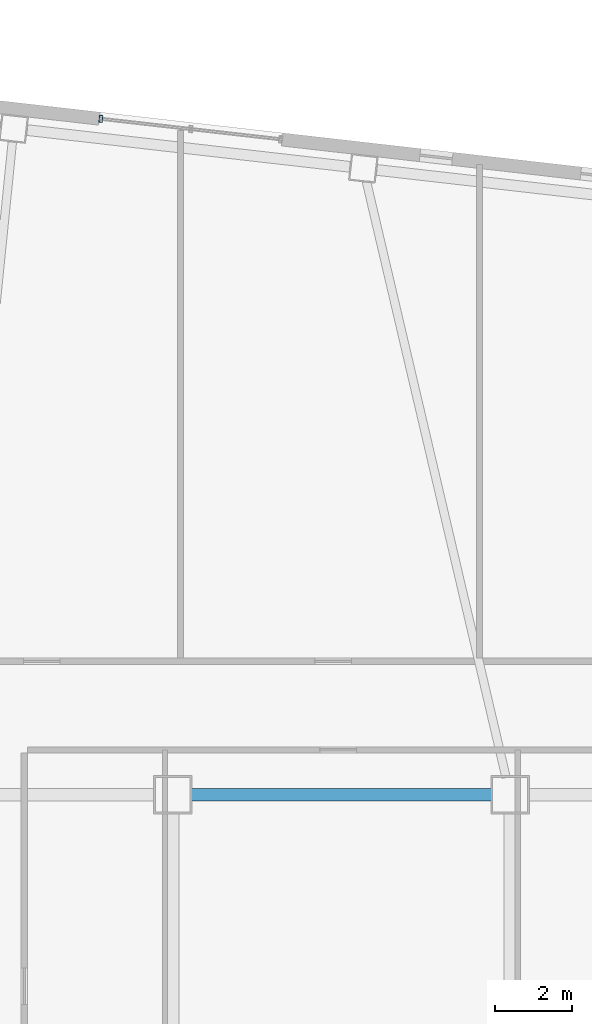
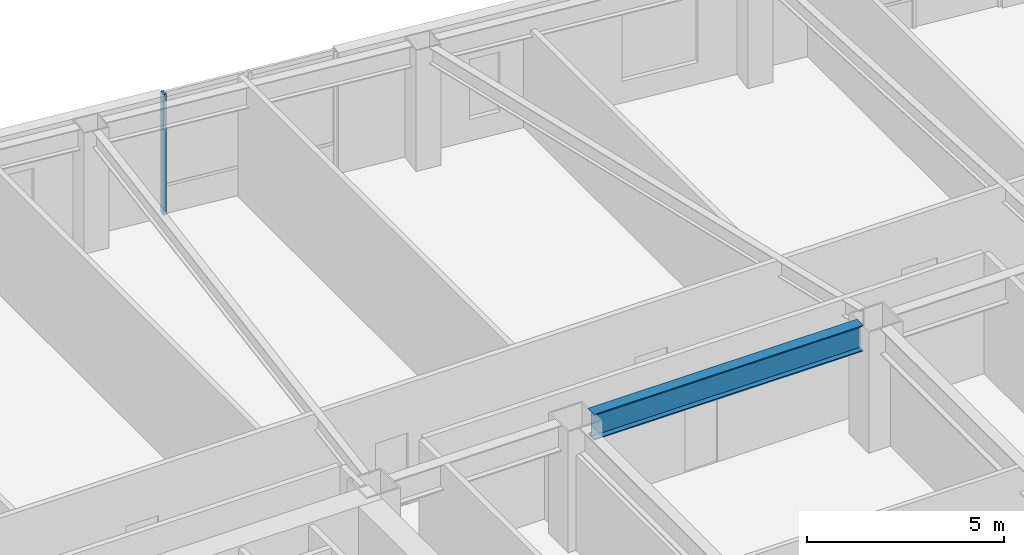
# One storey, part 5 of 19: 1 beam, 1 member, 1 element without a shape of its own.
"""IFC4 building model written with IfcOpenShell, lengths in metres."""

from ifc_helpers import new_model, si_unit, direction, frame, origin, origin_2d, place, context, subcontext, project, spatial, hollow_rectangle, i_section, extrude, material, layer, layer_set, material_profile, profile_set, type_object, element, aggregate, save


model = new_model("IFC4")

# Units and contexts
model_context = context("Model", 3, precision=1e-05, world=origin(), true_north=direction((0.0, 1.0)))
body_context = subcontext(model_context, "Body", "Model", "MODEL_VIEW")
ifc_project = project(units=[si_unit("LENGTHUNIT", "METRE"), si_unit("AREAUNIT", "SQUARE_METRE"), si_unit("VOLUMEUNIT", "CUBIC_METRE"), si_unit("PLANEANGLEUNIT", "RADIAN"), si_unit("MASSUNIT", "GRAM", prefix="KILO")], contexts=[model_context])

# Site, building, storey
site_placement = place(None, origin())
site = spatial("IfcSite", under=ifc_project, at=site_placement, CompositionType="ELEMENT")
building_placement = place(site_placement, origin())
building = spatial("IfcBuilding", under=site, at=building_placement, Name="Tavrogorsk Clinical Tower", CompositionType="ELEMENT")
storey_placement = place(building_placement, frame((0.0, 0.0, 101.39990234375)))
storey = spatial("IfcBuildingStorey", under=building, at=storey_placement, Name="L22", CompositionType="ELEMENT", Elevation=101.39990234375)

# Curtain wall, member
ifc_material_1 = material(Name="Anodised aluminium and triple IGU glazing", Category="aluminium")
ifc_layer = layer(ifc_material_1, 0.179931640625)
ifc_layer_set = layer_set([ifc_layer], Name="Anodised aluminium and triple IGU glazing")
curtain_wall_type = type_object("IfcCurtainWallType", Name="CW2_NorthSlot", PredefinedType="NOTDEFINED", material=ifc_layer_set)
curtain_wall_placement = place(storey_placement, origin())
curtain_wall = element("IfcCurtainWall", 1, at=curtain_wall_placement, inside=storey, type_object=curtain_wall_type, Name="L22 Curtain Wall CW-L22-N-SLOT-1", PredefinedType="NOTDEFINED")
ifc_material_2 = material(Name="Anodised aluminium alloy AW-6060", Category="aluminium")
ifc_material_profile_1 = material_profile(ifc_material_2, hollow_rectangle(XDim=0.090087890625, YDim=0.179931640625, WallThickness=0.00634765625, at=origin_2d()), Name="RHS-180x90x6.3")
ifc_profile_set_1 = profile_set([ifc_material_profile_1], Name="Anodised aluminium alloy AW-6060")
member_type = type_object("IfcMemberType", Name="CwMullion_180x90", PredefinedType="MULLION", material=ifc_profile_set_1)
member_placement = place(storey_placement, frame((-6.273681640625, 23.9775390625, 0.0), z_axis=(0.0, 0.0, 1.0), x_axis=(-0.993571858269, 0.113203191016, 0.0)))
member = element("IfcMember", 2, at=member_placement, type_object=member_type, Name="CW-L22-N-SLOT-1 Mullion 3", PredefinedType="MULLION", context=body_context, shape_type="SweptSolid", body=[
    extrude(hollow_rectangle(XDim=0.090087890625, YDim=0.179931640625, WallThickness=0.00634765625, at=origin_2d()), origin(), (0.0, 0.0, 1.0), 3.739990234375),
])
aggregate(curtain_wall, [member])

# Beam
ifc_material_3 = material(Name="Structural steel S390", Category="steel")
ifc_material_profile_2 = material_profile(ifc_material_3, i_section(OverallWidth=0.320068359375, OverallDepth=0.800048828125, WebThickness=0.02001953125, FlangeThickness=0.033935546875, at=origin_2d()), Name="B-800x320x20x34")
ifc_profile_set_2 = profile_set([ifc_material_profile_2], Name="Structural steel S390")
beam_type = type_object("IfcBeamType", Name="PrimaryGirder_B800", PredefinedType="USERDEFINED", material=ifc_profile_set_2)
beam_placement = place(storey_placement, frame((-3.93994140625, 6.35009765625, 3.340087890625), z_axis=(1.0, 0.0, 0.0), x_axis=(0.0, 1.0, 0.0)))
element("IfcBeam", 3, at=beam_placement, inside=storey, type_object=beam_type, Name="L22 Primary Spine Girder MG-04", ObjectType="GIRDER", PredefinedType="USERDEFINED", context=body_context, shape_type="SweptSolid", body=[
    extrude(i_section(OverallWidth=0.320068359375, OverallDepth=0.800048828125, WebThickness=0.02001953125, FlangeThickness=0.033935546875, at=origin_2d()), origin(), (0.0, 0.0, 1.0), 7.8798828125),
])

save(model, "model.ifc")
